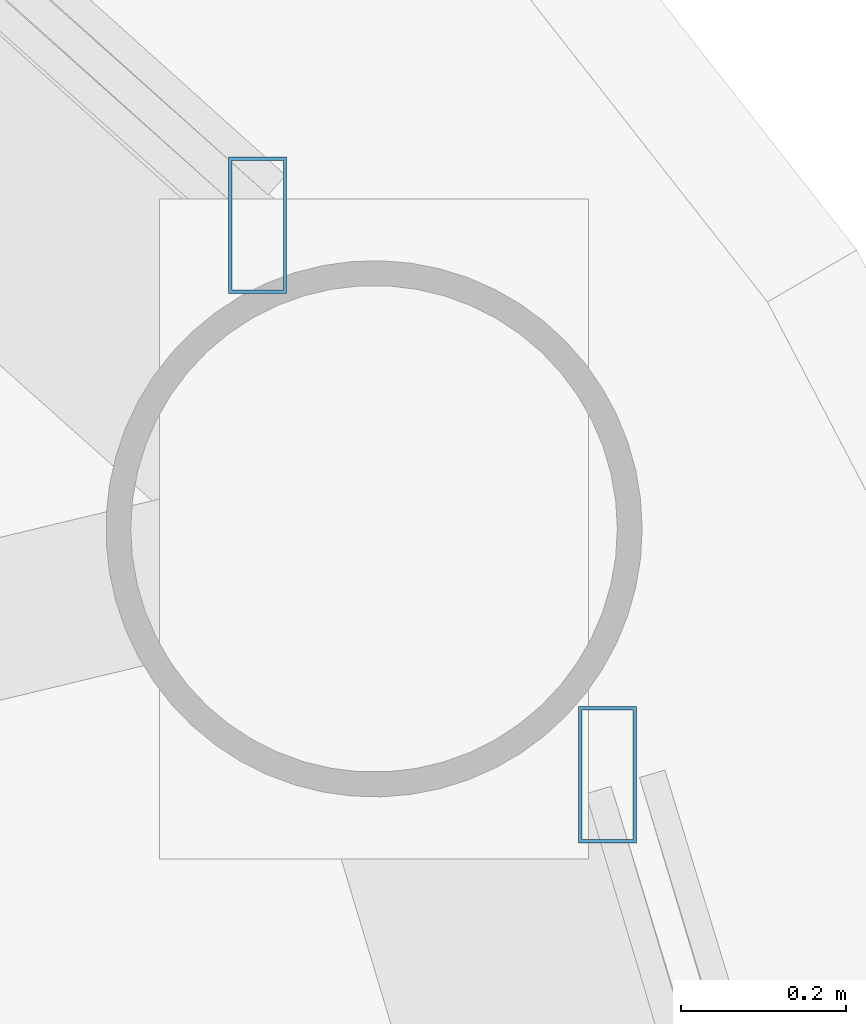
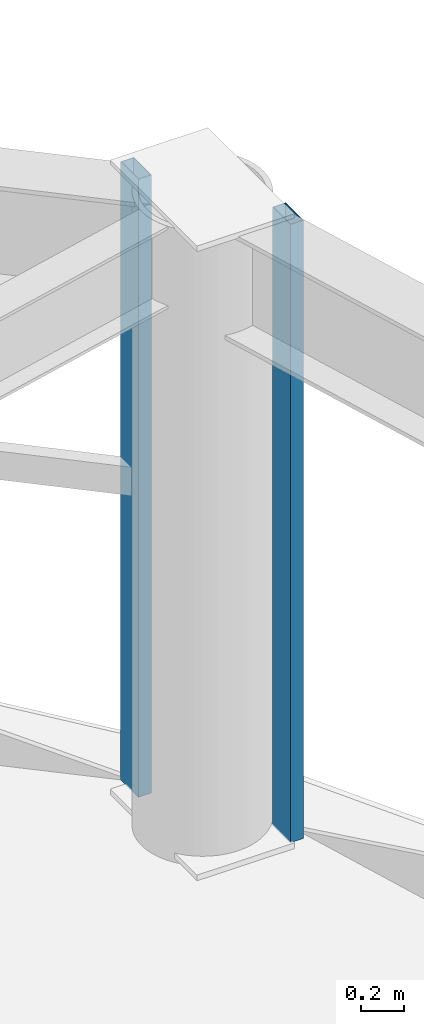
# One storey, part 15 of 28: 2 members, 2 elements without a shape of their own.
"""IFC4 building model written with IfcOpenShell, lengths in metres."""

from ifc_helpers import new_model, si_unit, direction, frame, origin, origin_2d, place, context, subcontext, project, spatial, hollow_rectangle, extrude, material, layer, layer_set, material_profile, profile_set, type_object, element, aggregate, save


model = new_model("IFC4")

# Units and contexts
model_context = context("Model", 3, precision=1e-05, world=origin(), true_north=direction((0.0, 1.0)))
body_context = subcontext(model_context, "Body", "Model", "MODEL_VIEW")
ifc_project = project(units=[si_unit("LENGTHUNIT", "METRE"), si_unit("AREAUNIT", "SQUARE_METRE"), si_unit("VOLUMEUNIT", "CUBIC_METRE"), si_unit("PLANEANGLEUNIT", "RADIAN"), si_unit("MASSUNIT", "GRAM", prefix="KILO")], contexts=[model_context])

# Site, building, storey
site_placement = place(None, origin())
site = spatial("IfcSite", under=ifc_project, at=site_placement, CompositionType="ELEMENT")
building_placement = place(site_placement, origin())
building = spatial("IfcBuilding", under=site, at=building_placement, Name="Vantalir Tower", CompositionType="ELEMENT")
storey_placement = place(building_placement, frame((0.0, 0.0, 246.14990234375)))
storey = spatial("IfcBuildingStorey", under=building, at=storey_placement, Name="L62", CompositionType="ELEMENT", Elevation=246.14990234375)

# Curtain wall, member
ifc_material_1 = material(Name="Champagne-silver PVDF aluminium and double-silver Low-E glass", Category="aluminium")
ifc_layer = layer(ifc_material_1, 0.2099609375)
ifc_layer_set = layer_set([ifc_layer], Name="Champagne-silver PVDF aluminium and double-silver Low-E glass")
curtain_wall_type = type_object("IfcCurtainWallType", Name="CW-DIAMOND-Z3", PredefinedType="USERDEFINED", material=ifc_layer_set)
curtain_wall_1_placement = place(storey_placement, origin())
curtain_wall_1 = element("IfcCurtainWall", 1, at=curtain_wall_1_placement, inside=storey, type_object=curtain_wall_type, Name="L62 Quilted Pyramid-Diamond Curtain Wall S01", ObjectType="UNITISED CURTAIN WALL", PredefinedType="USERDEFINED")
ifc_material_2 = material(Name="Champagne-silver PVDF aluminium 6063-T6", Category="aluminium")
ifc_material_profile = material_profile(ifc_material_2, hollow_rectangle(XDim=0.070068359375, YDim=0.1650390625, WallThickness=0.00390625, at=origin_2d()), Name="Champagne-silver PVDF aluminium 6063-T6")
ifc_profile_set = profile_set([ifc_material_profile], Name="Champagne-silver PVDF aluminium 6063-T6")
member_type = type_object("IfcMemberType", Name="CWM-165x70", PredefinedType="MULLION", material=ifc_profile_set)
member_1_placement = place(storey_placement, frame((50.591064453125, 34.367919921875, 0.045166015625), z_axis=(0.0, 0.0, 1.0), x_axis=(1.0, 0.0, 0.0)))
member_1 = element("IfcMember", 2, at=member_1_placement, type_object=member_type, Name="CW-L62-S01 Mullion 2", PredefinedType="MULLION", context=body_context, shape_type="SweptSolid", body=[
    extrude(hollow_rectangle(XDim=0.070068359375, YDim=0.1650390625, WallThickness=0.00390625, at=origin_2d()), origin(), (0.0, 0.0, 1.0), 3.47998046875),
])
aggregate(curtain_wall_1, [member_1])

curtain_wall_2_placement = place(storey_placement, origin())
curtain_wall_2 = element("IfcCurtainWall", 3, at=curtain_wall_2_placement, inside=storey, type_object=curtain_wall_type, Name="L62 Quilted Pyramid-Diamond Curtain Wall S02", ObjectType="UNITISED CURTAIN WALL", PredefinedType="USERDEFINED")
member_2_placement = place(storey_placement, frame((50.1669921875, 35.033935546875, 0.045166015625), z_axis=(0.0, 0.0, 1.0), x_axis=(1.0, 0.0, 0.0)))
member_2 = element("IfcMember", 4, at=member_2_placement, type_object=member_type, Name="CW-L62-S02 Mullion 1", PredefinedType="MULLION", context=body_context, shape_type="SweptSolid", body=[
    extrude(hollow_rectangle(XDim=0.070068359375, YDim=0.1650390625, WallThickness=0.00390625, at=origin_2d()), origin(), (0.0, 0.0, 1.0), 3.47998046875),
])
aggregate(curtain_wall_2, [member_2])

save(model, "model.ifc")
